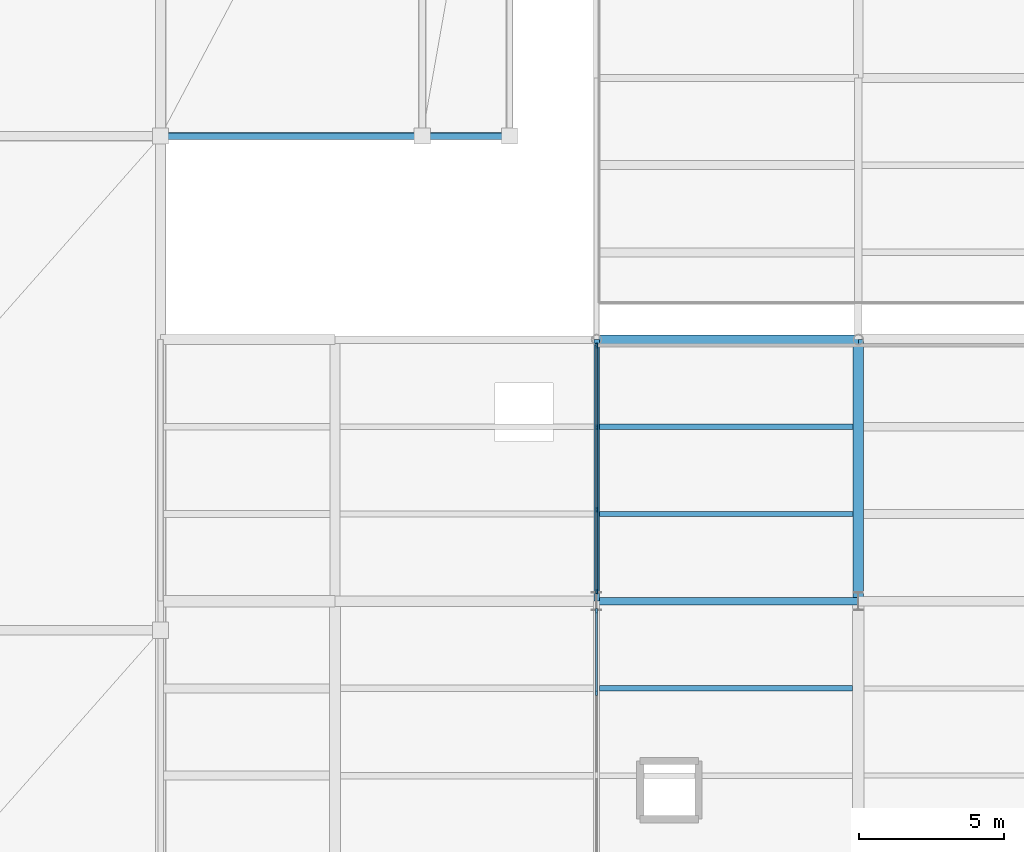
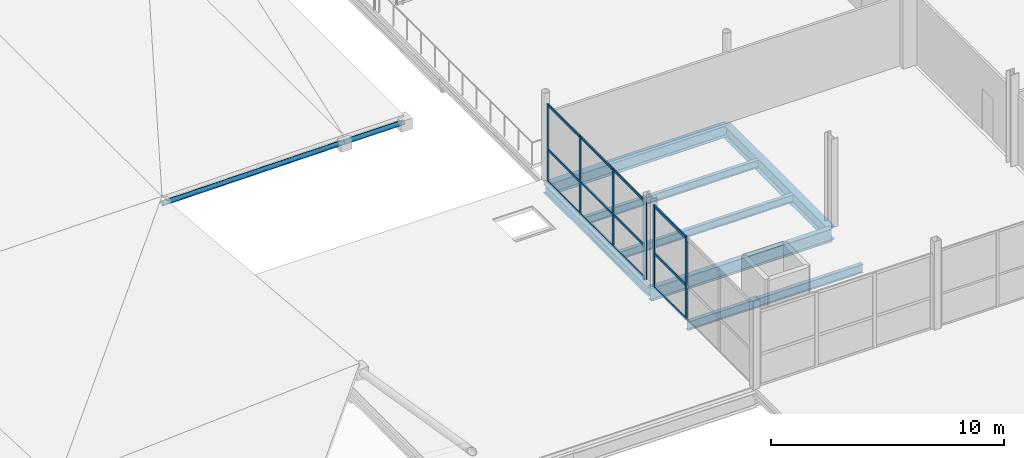
# One storey, part 19 of 69: 20 members, 7 beams, 2 elements without a shape of their own.
"""IFC4 building model written with IfcOpenShell, lengths in metres."""

import ifcopenshell
import ifcopenshell.guid

model = None  # the IFC model being written
_history = None  # IfcOwnerHistory: only IFC2X3 demands one
_inside = {}  # id of a spatial element -> (the spatial element, [elements in it])
_under = {}  # id of a project, library or spatial element -> (it, [spatial elements below it])
_declared = {}  # id of a project -> (the project, [libraries it declares])
_typed = {}  # id of a type object -> (the type object, [elements of that type])
_made_of = {}  # id of a material, layer set ... -> (it, [elements and type objects made of it])


def new_model(schema):
    """Start an empty IFC model of exactly this schema.

    Asked for "IFC4X3", IfcOpenShell would pick the latest addendum, in which some entities
    have other attributes; the version numbers below select the first issue.
    IFC2X3 requires an IfcOwnerHistory on every rooted entity: one is made here for all.
    """
    global model, _history
    if schema == "IFC4X3":
        model = ifcopenshell.file(schema_version=(4, 3, 0, 0))
    else:
        model = ifcopenshell.file(schema=schema)
    _inside.clear()
    _under.clear()
    _declared.clear()
    _typed.clear()
    _made_of.clear()
    _history = None
    if model.schema == "IFC2X3":
        org = make("IfcOrganization", Name="unknown")
        user = make(
            "IfcPersonAndOrganization",
            ThePerson=make("IfcPerson", FamilyName="unknown"),
            TheOrganization=org,
        )
        app = make(
            "IfcApplication",
            ApplicationDeveloper=org,
            Version="unknown",
            ApplicationFullName="unknown",
            ApplicationIdentifier="unknown",
        )
        _history = make(
            "IfcOwnerHistory",
            OwningUser=user,
            OwningApplication=app,
            ChangeAction="ADDED",
            CreationDate=0,
        )
    return model


def make(cls, **values):
    """One entity of the class cls with the attributes given. An attribute that is None is left unset."""
    return model.create_entity(
        cls, **{name: value for name, value in values.items() if value is not None}
    )


def rooted(cls, **values):
    """An entity with a GlobalId (a new one), such as an element, a storey or a relation."""
    return make(cls, GlobalId=ifcopenshell.guid.new(), OwnerHistory=_history, **values)


def si_unit(unit_type, name, prefix=None):
    """IfcSIUnit, for example si_unit("LENGTHUNIT", "METRE", prefix="MILLI")."""
    return make("IfcSIUnit", UnitType=unit_type, Prefix=prefix, Name=name)


def assignment(units):
    """IfcUnitAssignment: the units of a project."""
    return None if units is None else make("IfcUnitAssignment", Units=units)


def point(xyz):
    """IfcCartesianPoint."""
    return None if xyz is None else make("IfcCartesianPoint", Coordinates=xyz)


def direction(xyz):
    """IfcDirection."""
    return None if xyz is None else make("IfcDirection", DirectionRatios=xyz)


def frame(location, z_axis=None, x_axis=None):
    """IfcAxis2Placement3D, a coordinate frame: its origin and axes. An axis left out is left unset."""
    return make(
        "IfcAxis2Placement3D",
        Location=point(location),
        Axis=direction(z_axis),
        RefDirection=direction(x_axis),
    )


def frame_2d(location, x_axis=None):
    """IfcAxis2Placement2D, a coordinate frame in the plane: its origin and x axis."""
    return make(
        "IfcAxis2Placement2D", Location=point(location), RefDirection=direction(x_axis)
    )


def origin():
    """The frame at (0, 0, 0) with its axes left unset."""
    return frame((0.0, 0.0, 0.0))


def origin_2d():
    """The frame at (0, 0) in the plane with its x axis left unset."""
    return frame_2d((0.0, 0.0))


def place(relative_to, where):
    """IfcLocalPlacement: puts the frame where relative to a parent placement (None: the world)."""
    return make(
        "IfcLocalPlacement", PlacementRelTo=relative_to, RelativePlacement=where
    )


def context(
    kind, dimensions, precision=None, world=None, true_north=None, identifier=None
):
    """IfcGeometricRepresentationContext, for example the 3D "Model" context."""
    return make(
        "IfcGeometricRepresentationContext",
        ContextIdentifier=identifier,
        ContextType=kind,
        CoordinateSpaceDimension=dimensions,
        Precision=precision,
        WorldCoordinateSystem=world,
        TrueNorth=true_north,
    )


def subcontext(parent, identifier, kind, view, scale=None):
    """IfcGeometricRepresentationSubContext, for example "Body" below "Model"."""
    return make(
        "IfcGeometricRepresentationSubContext",
        ContextIdentifier=identifier,
        ContextType=kind,
        ParentContext=parent,
        TargetScale=scale,
        TargetView=view,
    )


def project(units=None, contexts=None):
    """IfcProject with its units and contexts."""
    return rooted(
        "IfcProject",
        Name="project",
        RepresentationContexts=contexts,
        UnitsInContext=assignment(units),
    )


def spatial(cls, under=None, at=None, **own):
    """A site, building, storey or space (cls), placed at a placement, below another one or the project."""
    s = rooted(cls, ObjectPlacement=at, **own)
    if under is not None:
        _under.setdefault(under.id(), (under, []))[1].append(s)
    return s


def profile(cls, at=None, kind="AREA", **sizes):
    """A parametric profile (cls). Its sizes go by their IFC names, for example OverallWidth=200.0."""
    return make(cls, ProfileType=kind, Position=at, **sizes)


def rectangle(**sizes):
    """IfcRectangleProfileDef."""
    return profile("IfcRectangleProfileDef", **sizes)


def hollow_circle(**sizes):
    """IfcCircleHollowProfileDef."""
    return profile("IfcCircleHollowProfileDef", **sizes)


def i_section(**sizes):
    """IfcIShapeProfileDef."""
    return profile("IfcIShapeProfileDef", **sizes)


def extrude(swept, where, along, depth):
    """IfcExtrudedAreaSolid: the profile swept, set in the frame where, extruded along a direction by depth."""
    return make(
        "IfcExtrudedAreaSolid",
        SweptArea=swept,
        Position=where,
        ExtrudedDirection=direction(along),
        Depth=depth,
    )


def shape(context_of_items, identifier, shape_type, items):
    """IfcShapeRepresentation: the items that make up one representation, for example the "Body"."""
    return make(
        "IfcShapeRepresentation",
        ContextOfItems=context_of_items,
        RepresentationIdentifier=identifier,
        RepresentationType=shape_type,
        Items=items,
    )


def material(Name=None, Category=None):
    """IfcMaterial."""
    return make("IfcMaterial", Name=Name, Category=Category)


def layer(
    of_material, thickness, ventilated=None, Name=None, Category=None, Priority=None
):
    """IfcMaterialLayer: one layer of a wall or slab, of a material (None: an air gap)."""
    return make(
        "IfcMaterialLayer",
        Material=of_material,
        LayerThickness=thickness,
        IsVentilated=ventilated,
        Name=Name,
        Category=Category,
        Priority=Priority,
    )


def layer_set(layers, Name=None):
    """IfcMaterialLayerSet."""
    return make("IfcMaterialLayerSet", MaterialLayers=layers, LayerSetName=Name)


def material_profile(
    of_material, cross_section, Name=None, Category=None, Priority=None
):
    """IfcMaterialProfile: a cross section and its material."""
    return make(
        "IfcMaterialProfile",
        Name=Name,
        Material=of_material,
        Profile=cross_section,
        Priority=Priority,
        Category=Category,
    )


def profile_set(profiles, Name=None, composite=None):
    """IfcMaterialProfileSet."""
    return make(
        "IfcMaterialProfileSet",
        Name=Name,
        MaterialProfiles=profiles,
        CompositeProfile=composite,
    )


def made_of(thing, what):
    """Note that an element or type object is made of a material, layer set ...; save() writes the relation."""
    if what is not None:
        _made_of.setdefault(what.id(), (what, []))[1].append(thing)
    return thing


def type_object(cls, material=None, **own):
    """A type object (cls), such as IfcWallType, which elements share."""
    return made_of(rooted(cls, **own), material)


def element(
    cls,
    number,
    at=None,
    inside=None,
    cuts=None,
    type_object=None,
    material=None,
    context=None,
    identifier="Body",
    shape_type=None,
    held_by="IfcProductDefinitionShape",
    body=None,
    shapes=None,
    **own,
):
    """One element of the class cls, such as IfcWall. Its Tag is "e" and its number.

    at: its placement. inside: the storey or other place that contains it. cuts: it is an
    opening in that element (IfcRelVoidsElement). A single representation is given by context,
    identifier, shape_type and body (its items); several are given by shapes. held_by: the class
    of the entity that holds the representations. save() writes the other relations.
    """
    e = rooted(cls, Tag="e%d" % number, ObjectPlacement=at, **own)
    if body is not None:
        shapes = [shape(context, identifier, shape_type, body)]
    if shapes is not None:
        e.Representation = make(held_by, Representations=shapes)
    if inside is not None:
        _inside.setdefault(inside.id(), (inside, []))[1].append(e)
    if cuts is not None:
        rooted(
            "IfcRelVoidsElement", RelatingBuildingElement=cuts, RelatedOpeningElement=e
        )
    if type_object is not None:
        _typed.setdefault(type_object.id(), (type_object, []))[1].append(e)
    return made_of(e, material)


def aggregate(whole, parts):
    """IfcRelAggregates: a whole, such as a stair, and the parts it consists of."""
    return rooted("IfcRelAggregates", RelatingObject=whole, RelatedObjects=parts)


def save(model, path):
    """Write the relations noted so far, then the file.

    IfcRelAggregates (storeys below a building ...), IfcRelContainedInSpatialStructure (elements
    in a storey), IfcRelDefinesByType, IfcRelAssociatesMaterial and IfcRelDeclares: one each for
    every whole, place, type object, material and project.
    """
    for whole, parts in _under.values():
        aggregate(whole, parts)
    for where, things in _inside.values():
        rooted(
            "IfcRelContainedInSpatialStructure",
            RelatedElements=things,
            RelatingStructure=where,
        )
    for kind, things in _typed.values():
        rooted("IfcRelDefinesByType", RelatedObjects=things, RelatingType=kind)
    for what, things in _made_of.values():
        rooted("IfcRelAssociatesMaterial", RelatedObjects=things, RelatingMaterial=what)
    for by, libraries in _declared.values():
        rooted("IfcRelDeclares", RelatingContext=by, RelatedDefinitions=libraries)
    model.write(path)


model = new_model("IFC4")

# Units and contexts
model_context = context("Model", 3, precision=1e-05, world=origin(), true_north=direction((0.0, 1.0)))
body_context = subcontext(model_context, "Body", "Model", "MODEL_VIEW")
ifc_project = project(units=[si_unit("LENGTHUNIT", "METRE"), si_unit("AREAUNIT", "SQUARE_METRE"), si_unit("VOLUMEUNIT", "CUBIC_METRE"), si_unit("PLANEANGLEUNIT", "RADIAN"), si_unit("MASSUNIT", "GRAM", prefix="KILO")], contexts=[model_context])

# Site, building, storey
site_placement = place(None, origin())
site = spatial("IfcSite", under=ifc_project, at=site_placement, CompositionType="ELEMENT")
building_placement = place(site_placement, origin())
building = spatial("IfcBuilding", under=site, at=building_placement, Name="Qamarlyn Nura Convention Centre", CompositionType="ELEMENT")
storey_placement = place(building_placement, frame((0.0, 0.0, 15.60009765625)))
storey = spatial("IfcBuildingStorey", under=building, at=storey_placement, Name="L03", CompositionType="ELEMENT", Elevation=15.60009765625)

# Beams
ifc_material_1 = material(Name="Steel ASTM A992", Category="steel")
ifc_material_profile_1 = material_profile(ifc_material_1, i_section(OverallWidth=0.323974609375, OverallDepth=0.611083984375, WebThickness=0.0126953125, FlangeThickness=0.01904296875, FilletRadius=0.01611328125, at=origin_2d()), Name="W610X155")
ifc_profile_set_1 = profile_set([ifc_material_profile_1], Name="Steel ASTM A992")
beam_type_1 = type_object("IfcBeamType", Name="BM-GIRD-610", PredefinedType="BEAM", material=ifc_profile_set_1)
beam_1_placement = place(storey_placement, frame((135.0, 45.0, -0.505615234375), z_axis=(1.0, 0.0, 0.0), x_axis=(0.0, 1.0, 0.0)))
element("IfcBeam", 1, at=beam_1_placement, inside=storey, type_object=beam_type_1, Name="L03 girder F 11-12", PredefinedType="BEAM", context=body_context, shape_type="SweptSolid", body=[
    extrude(i_section(OverallWidth=0.323974609375, OverallDepth=0.611083984375, WebThickness=0.0126953125, FlangeThickness=0.01904296875, FilletRadius=0.01611328125, at=origin_2d()), origin(), (0.0, 0.0, 1.0), 9.0),
])
ifc_material_profile_2 = material_profile(ifc_material_1, i_section(OverallWidth=0.35498046875, OverallDepth=0.695068359375, WebThickness=0.015380859375, FlangeThickness=0.02490234375, FilletRadius=0.01806640625, at=origin_2d()), Name="W690X217")
ifc_profile_set_2 = profile_set([ifc_material_profile_2], Name="Steel ASTM A992")
beam_type_2 = type_object("IfcBeamType", Name="BM-GIRD-690A", PredefinedType="BEAM", material=ifc_profile_set_2)
beam_2_placement = place(storey_placement, frame((144.0, 36.0, -0.547607421875), z_axis=(0.0, 1.0, 0.0), x_axis=(-1.0, 0.0, 0.0)))
element("IfcBeam", 2, at=beam_2_placement, inside=storey, type_object=beam_type_2, Name="L03 girder 12 E-F", PredefinedType="BEAM", context=body_context, shape_type="SweptSolid", body=[
    extrude(i_section(OverallWidth=0.35498046875, OverallDepth=0.695068359375, WebThickness=0.015380859375, FlangeThickness=0.02490234375, FilletRadius=0.01806640625, at=origin_2d()), origin(), (0.0, 0.0, 1.0), 9.0),
])
ifc_material_profile_3 = material_profile(ifc_material_1, i_section(OverallWidth=0.25390625, OverallDepth=0.68408203125, WebThickness=0.012451171875, FlangeThickness=0.01904296875, FilletRadius=0.01806640625, at=origin_2d()), Name="W690X140")
ifc_profile_set_3 = profile_set([ifc_material_profile_3], Name="Steel ASTM A992")
beam_type_3 = type_object("IfcBeamType", Name="BM-GIRD-690B", PredefinedType="BEAM", material=ifc_profile_set_3)
beam_3_placement = place(storey_placement, frame((135.0, 36.0, -0.5419921875), z_axis=(1.0, 0.0, 0.0), x_axis=(0.0, 1.0, 0.0)))
element("IfcBeam", 3, at=beam_3_placement, inside=storey, type_object=beam_type_3, Name="L03 girder E 11-12", PredefinedType="BEAM", context=body_context, shape_type="SweptSolid", body=[
    extrude(i_section(OverallWidth=0.25390625, OverallDepth=0.68408203125, WebThickness=0.012451171875, FlangeThickness=0.01904296875, FilletRadius=0.01806640625, at=origin_2d()), origin(), (0.0, 0.0, 1.0), 9.0),
])
ifc_material_profile_4 = material_profile(ifc_material_1, i_section(OverallWidth=0.177978515625, OverallDepth=0.406982421875, WebThickness=0.0078125, FlangeThickness=0.0126953125, FilletRadius=0.011962890625, at=origin_2d()), Name="W410X60")
ifc_profile_set_4 = profile_set([ifc_material_profile_4], Name="Steel ASTM A992")
beam_type_4 = type_object("IfcBeamType", Name="BM-JOIST-410", PredefinedType="JOIST", material=ifc_profile_set_4)
for number, where, z_axis, x_axis, name in (
    (4, (135.096435546875, 39.0, -0.403564453125), (1.0, 0.0, 0.0), (0.0, 1.0, 0.0), "L03 composite joist 11-12/E+1"),
    (5, (135.096435546875, 42.0, -0.403564453125), (1.0, 0.0, 0.0), (0.0, 1.0, 0.0), "L03 composite joist 11-12/E+2"),
):
    element("IfcBeam", number, at=place(storey_placement, frame(where, z_axis=z_axis, x_axis=x_axis)), inside=storey, type_object=beam_type_4, Name=name, PredefinedType="JOIST", context=body_context, shape_type="SweptSolid", body=[
        extrude(i_section(OverallWidth=0.177978515625, OverallDepth=0.406982421875, WebThickness=0.0078125, FlangeThickness=0.0126953125, FilletRadius=0.011962890625, at=origin_2d()), origin(), (0.0, 0.0, 1.0), 8.72607421875),
    ])
ifc_material_profile_5 = material_profile(ifc_material_1, i_section(OverallWidth=0.18994140625, OverallDepth=0.45703125, WebThickness=0.009033203125, FlangeThickness=0.014404296875, FilletRadius=0.012939453125, at=origin_2d()), Name="W460X74")
ifc_profile_set_5 = profile_set([ifc_material_profile_5], Name="Steel ASTM A992")
beam_type_5 = type_object("IfcBeamType", Name="BM-JOIST-460", PredefinedType="JOIST", material=ifc_profile_set_5)
beam_4_placement = place(storey_placement, frame((135.10546875, 33.0, -0.4287109375), z_axis=(1.0, 0.0, 0.0), x_axis=(0.0, 1.0, 0.0)))
element("IfcBeam", 6, at=beam_4_placement, inside=storey, type_object=beam_type_5, Name="L03 composite joist 11-12/D+2", PredefinedType="JOIST", context=body_context, shape_type="SweptSolid", body=[
    extrude(i_section(OverallWidth=0.18994140625, OverallDepth=0.45703125, WebThickness=0.009033203125, FlangeThickness=0.014404296875, FilletRadius=0.012939453125, at=origin_2d()), origin(), (0.0, 0.0, 1.0), 8.7041015625),
])
ifc_material_profile_6 = material_profile(ifc_material_1, i_section(OverallWidth=0.193115234375, OverallDepth=0.466064453125, WebThickness=0.011474609375, FlangeThickness=0.01904296875, FilletRadius=0.012939453125, at=origin_2d()), Name="W460X97")
ifc_profile_set_6 = profile_set([ifc_material_profile_6], Name="Steel ASTM A992")
beam_type_6 = type_object("IfcBeamType", Name="BM-SPAN-460", PredefinedType="SPANDREL", material=ifc_profile_set_6)
beam_5_placement = place(storey_placement, frame((135.0, 36.0, -0.43310546875), z_axis=(0.0, 1.0, 0.0), x_axis=(-1.0, 0.0, 0.0)))
element("IfcBeam", 7, at=beam_5_placement, inside=storey, type_object=beam_type_6, Name="L03 girder 11 E-F", PredefinedType="SPANDREL", context=body_context, shape_type="SweptSolid", body=[
    extrude(i_section(OverallWidth=0.193115234375, OverallDepth=0.466064453125, WebThickness=0.011474609375, FlangeThickness=0.01904296875, FilletRadius=0.012939453125, at=origin_2d()), origin(), (0.0, 0.0, 1.0), 9.0),
])

# Curtain wall, members
ifc_material_2 = material(Name="Double-silver low-E insulated glass", Category="glass")
ifc_layer_1 = layer(ifc_material_2, 0.179931640625, Name="CW-UNIT-125")
ifc_layer_set_1 = layer_set([ifc_layer_1], Name="Double-silver low-E insulated glass")
curtain_wall_type_1 = type_object("IfcCurtainWallType", Name="CW-UNIT-125", PredefinedType="NOTDEFINED", material=ifc_layer_set_1)
curtain_wall_1_placement = place(storey_placement, origin())
curtain_wall_1 = element("IfcCurtainWall", 8, at=curtain_wall_1_placement, inside=storey, type_object=curtain_wall_type_1, Name="L03 unitised curtain wall WS-36-1", PredefinedType="NOTDEFINED")
ifc_material_3 = material(Name="Champagne-anodised marine aluminium", Category="aluminium")
ifc_material_profile_7 = material_profile(ifc_material_3, rectangle(XDim=0.06494140625, YDim=0.159912109375, at=origin_2d()), Name="ALU MULLION 65x160")
ifc_profile_set_7 = profile_set([ifc_material_profile_7], Name="Champagne-anodised marine aluminium")
member_type_1 = type_object("IfcMemberType", Name="CWM-160", PredefinedType="MULLION", material=ifc_profile_set_7)
member_1_placement = place(storey_placement, frame((135.0, 36.337890625, 0.0), z_axis=(0.0, 0.0, 1.0), x_axis=(-1.0, 0.0, 0.0)))
member_1 = element("IfcMember", 9, at=member_1_placement, type_object=member_type_1, Name="CW125 mullion 1", PredefinedType="MULLION", context=body_context, shape_type="SweptSolid", body=[
    extrude(rectangle(XDim=0.06494140625, YDim=0.159912109375, at=origin_2d()), origin(), (0.0, 0.0, 1.0), 4.0859375),
])
member_2_placement = place(storey_placement, frame((135.0, 39.144287109375, 0.0), z_axis=(0.0, 0.0, 1.0), x_axis=(-1.0, 0.0, 0.0)))
member_2 = element("IfcMember", 10, at=member_2_placement, type_object=member_type_1, Name="CW125 mullion 2", PredefinedType="MULLION", context=body_context, shape_type="SweptSolid", body=[
    extrude(rectangle(XDim=0.06494140625, YDim=0.159912109375, at=origin_2d()), origin(), (0.0, 0.0, 1.0), 4.0859375),
])
member_3_placement = place(storey_placement, frame((135.0, 41.9833984375, 0.0), z_axis=(0.0, 0.0, 1.0), x_axis=(-1.0, 0.0, 0.0)))
member_3 = element("IfcMember", 11, at=member_3_placement, type_object=member_type_1, Name="CW125 mullion 3", PredefinedType="MULLION", context=body_context, shape_type="SweptSolid", body=[
    extrude(rectangle(XDim=0.06494140625, YDim=0.159912109375, at=origin_2d()), origin(), (0.0, 0.0, 1.0), 4.0859375),
])
member_4_placement = place(storey_placement, frame((135.0, 44.789794921875, 0.0), z_axis=(0.0, 0.0, 1.0), x_axis=(-1.0, 0.0, 0.0)))
member_4 = element("IfcMember", 12, at=member_4_placement, type_object=member_type_1, Name="CW125 mullion 4", PredefinedType="MULLION", context=body_context, shape_type="SweptSolid", body=[
    extrude(rectangle(XDim=0.06494140625, YDim=0.159912109375, at=origin_2d()), origin(), (0.0, 0.0, 1.0), 4.0859375),
])

ifc_layer_2 = layer(ifc_material_2, 0.179931640625, Name="CW-UNIT-124")
ifc_layer_set_2 = layer_set([ifc_layer_2], Name="Double-silver low-E insulated glass")
curtain_wall_type_2 = type_object("IfcCurtainWallType", Name="CW-UNIT-124", PredefinedType="NOTDEFINED", material=ifc_layer_set_2)
curtain_wall_2_placement = place(storey_placement, origin())
curtain_wall_2 = element("IfcCurtainWall", 13, at=curtain_wall_2_placement, inside=storey, type_object=curtain_wall_type_2, Name="L03 unitised curtain wall WS-27-1", PredefinedType="NOTDEFINED")
ifc_material_profile_8 = material_profile(ifc_material_3, rectangle(XDim=0.070068359375, YDim=0.179931640625, at=origin_2d()), Name="ALU MULLION 70x180")
ifc_profile_set_8 = profile_set([ifc_material_profile_8], Name="Champagne-anodised marine aluminium")
member_type_2 = type_object("IfcMemberType", Name="CWM-180", PredefinedType="MULLION", material=ifc_profile_set_8)
member_5_placement = place(storey_placement, frame((135.0, 32.854736328125, 0.0), z_axis=(0.0, 0.0, 1.0), x_axis=(-1.0, 0.0, 0.0)))
member_5 = element("IfcMember", 14, at=member_5_placement, type_object=member_type_2, Name="CW124 mullion 3", PredefinedType="MULLION", context=body_context, shape_type="SweptSolid", body=[
    extrude(rectangle(XDim=0.070068359375, YDim=0.179931640625, at=origin_2d()), origin(), (0.0, 0.0, 1.0), 4.324951171875),
])
member_6_placement = place(storey_placement, frame((135.0, 35.659423828125, 0.0), z_axis=(0.0, 0.0, 1.0), x_axis=(-1.0, 0.0, 0.0)))
member_6 = element("IfcMember", 15, at=member_6_placement, type_object=member_type_2, Name="CW124 mullion 4", PredefinedType="MULLION", context=body_context, shape_type="SweptSolid", body=[
    extrude(rectangle(XDim=0.070068359375, YDim=0.179931640625, at=origin_2d()), origin(), (0.0, 0.0, 1.0), 4.324951171875),
])

# Member
ifc_material_profile_9 = material_profile(ifc_material_3, rectangle(XDim=0.06494140625, YDim=0.1201171875, at=origin_2d()), Name="ALU TRANSOM 65x120")
ifc_profile_set_9 = profile_set([ifc_material_profile_9], Name="Champagne-anodised marine aluminium")
member_type_3 = type_object("IfcMemberType", Name="CWT-120", PredefinedType="USERDEFINED", material=ifc_profile_set_9)
member_7_placement = place(storey_placement, frame((135.0, 36.37060546875, 0.032470703125), z_axis=(0.0, 1.0, 0.0), x_axis=(-1.0, 0.0, 0.0)))
member_7 = element("IfcMember", 16, at=member_7_placement, type_object=member_type_3, Name="CW125 transom 1.1", ObjectType="TRANSOM", PredefinedType="USERDEFINED", context=body_context, shape_type="SweptSolid", body=[
    extrude(rectangle(XDim=0.06494140625, YDim=0.1201171875, at=origin_2d()), origin(), (0.0, 0.0, 1.0), 2.7412109375),
])

member_8_placement = place(storey_placement, frame((135.0, 36.37060546875, 1.7158203125), z_axis=(0.0, 1.0, 0.0), x_axis=(-1.0, 0.0, 0.0)))
member_8 = element("IfcMember", 17, at=member_8_placement, type_object=member_type_3, Name="CW125 transom 1.2", ObjectType="TRANSOM", PredefinedType="USERDEFINED", context=body_context, shape_type="SweptSolid", body=[
    extrude(rectangle(XDim=0.06494140625, YDim=0.1201171875, at=origin_2d()), origin(), (0.0, 0.0, 1.0), 2.7412109375),
])

member_9_placement = place(storey_placement, frame((135.0, 36.37060546875, 4.053466796875), z_axis=(0.0, 1.0, 0.0), x_axis=(-1.0, 0.0, 0.0)))
member_9 = element("IfcMember", 18, at=member_9_placement, type_object=member_type_3, Name="CW125 transom 1.3", ObjectType="TRANSOM", PredefinedType="USERDEFINED", context=body_context, shape_type="SweptSolid", body=[
    extrude(rectangle(XDim=0.06494140625, YDim=0.1201171875, at=origin_2d()), origin(), (0.0, 0.0, 1.0), 2.7412109375),
])

member_10_placement = place(storey_placement, frame((135.0, 39.177001953125, 0.032470703125), z_axis=(0.0, 1.0, 0.0), x_axis=(-1.0, 0.0, 0.0)))
member_10 = element("IfcMember", 19, at=member_10_placement, type_object=member_type_3, Name="CW125 transom 2.1", ObjectType="TRANSOM", PredefinedType="USERDEFINED", context=body_context, shape_type="SweptSolid", body=[
    extrude(rectangle(XDim=0.06494140625, YDim=0.1201171875, at=origin_2d()), origin(), (0.0, 0.0, 1.0), 2.773681640625),
])

member_11_placement = place(storey_placement, frame((135.0, 39.177001953125, 1.7158203125), z_axis=(0.0, 1.0, 0.0), x_axis=(-1.0, 0.0, 0.0)))
member_11 = element("IfcMember", 20, at=member_11_placement, type_object=member_type_3, Name="CW125 transom 2.2", ObjectType="TRANSOM", PredefinedType="USERDEFINED", context=body_context, shape_type="SweptSolid", body=[
    extrude(rectangle(XDim=0.06494140625, YDim=0.1201171875, at=origin_2d()), origin(), (0.0, 0.0, 1.0), 2.773681640625),
])

member_12_placement = place(storey_placement, frame((135.0, 39.177001953125, 4.053466796875), z_axis=(0.0, 1.0, 0.0), x_axis=(-1.0, 0.0, 0.0)))
member_12 = element("IfcMember", 21, at=member_12_placement, type_object=member_type_3, Name="CW125 transom 2.3", ObjectType="TRANSOM", PredefinedType="USERDEFINED", context=body_context, shape_type="SweptSolid", body=[
    extrude(rectangle(XDim=0.06494140625, YDim=0.1201171875, at=origin_2d()), origin(), (0.0, 0.0, 1.0), 2.773681640625),
])

member_13_placement = place(storey_placement, frame((135.0, 42.015869140625, 0.032470703125), z_axis=(0.0, 1.0, 0.0), x_axis=(-1.0, 0.0, 0.0)))
member_13 = element("IfcMember", 22, at=member_13_placement, type_object=member_type_3, Name="CW125 transom 3.1", ObjectType="TRANSOM", PredefinedType="USERDEFINED", context=body_context, shape_type="SweptSolid", body=[
    extrude(rectangle(XDim=0.06494140625, YDim=0.1201171875, at=origin_2d()), origin(), (0.0, 0.0, 1.0), 2.7412109375),
])

member_14_placement = place(storey_placement, frame((135.0, 42.015869140625, 1.7158203125), z_axis=(0.0, 1.0, 0.0), x_axis=(-1.0, 0.0, 0.0)))
member_14 = element("IfcMember", 23, at=member_14_placement, type_object=member_type_3, Name="CW125 transom 3.2", ObjectType="TRANSOM", PredefinedType="USERDEFINED", context=body_context, shape_type="SweptSolid", body=[
    extrude(rectangle(XDim=0.06494140625, YDim=0.1201171875, at=origin_2d()), origin(), (0.0, 0.0, 1.0), 2.7412109375),
])

member_15_placement = place(storey_placement, frame((135.0, 42.015869140625, 4.053466796875), z_axis=(0.0, 1.0, 0.0), x_axis=(-1.0, 0.0, 0.0)))
member_15 = element("IfcMember", 24, at=member_15_placement, type_object=member_type_3, Name="CW125 transom 3.3", ObjectType="TRANSOM", PredefinedType="USERDEFINED", context=body_context, shape_type="SweptSolid", body=[
    extrude(rectangle(XDim=0.06494140625, YDim=0.1201171875, at=origin_2d()), origin(), (0.0, 0.0, 1.0), 2.7412109375),
])

aggregate(curtain_wall_1, [member_1, member_2, member_3, member_4, member_7, member_8, member_9, member_10, member_11, member_12, member_13, member_14, member_15])

ifc_material_profile_10 = material_profile(ifc_material_3, rectangle(XDim=0.070068359375, YDim=0.139892578125, at=origin_2d()), Name="ALU TRANSOM 70x140")
ifc_profile_set_10 = profile_set([ifc_material_profile_10], Name="Champagne-anodised marine aluminium")
member_type_4 = type_object("IfcMemberType", Name="CWT-140", PredefinedType="USERDEFINED", material=ifc_profile_set_10)
member_16_placement = place(storey_placement, frame((135.0, 32.8896484375, 0.034912109375), z_axis=(0.0, 1.0, 0.0), x_axis=(-1.0, 0.0, 0.0)))
member_16 = element("IfcMember", 25, at=member_16_placement, type_object=member_type_4, Name="CW124 transom 3.1", ObjectType="TRANSOM", PredefinedType="USERDEFINED", context=body_context, shape_type="SweptSolid", body=[
    extrude(rectangle(XDim=0.070068359375, YDim=0.139892578125, at=origin_2d()), origin(), (0.0, 0.0, 1.0), 2.73486328125),
])

member_17_placement = place(storey_placement, frame((135.0, 32.8896484375, 1.81591796875), z_axis=(0.0, 1.0, 0.0), x_axis=(-1.0, 0.0, 0.0)))
member_17 = element("IfcMember", 26, at=member_17_placement, type_object=member_type_4, Name="CW124 transom 3.2", ObjectType="TRANSOM", PredefinedType="USERDEFINED", context=body_context, shape_type="SweptSolid", body=[
    extrude(rectangle(XDim=0.070068359375, YDim=0.139892578125, at=origin_2d()), origin(), (0.0, 0.0, 1.0), 2.73486328125),
])

member_18_placement = place(storey_placement, frame((135.0, 32.8896484375, 4.289794921875), z_axis=(0.0, 1.0, 0.0), x_axis=(-1.0, 0.0, 0.0)))
member_18 = element("IfcMember", 27, at=member_18_placement, type_object=member_type_4, Name="CW124 transom 3.3", ObjectType="TRANSOM", PredefinedType="USERDEFINED", context=body_context, shape_type="SweptSolid", body=[
    extrude(rectangle(XDim=0.070068359375, YDim=0.139892578125, at=origin_2d()), origin(), (0.0, 0.0, 1.0), 2.73486328125),
])

aggregate(curtain_wall_2, [member_5, member_6, member_16, member_17, member_18])

# Members
ifc_material_4 = material(Name="Pearl-white PVDF steel ASTM A500 Grade C", Category="steel")
ifc_material_profile_11 = material_profile(ifc_material_4, hollow_circle(Radius=0.122314453125, WallThickness=0.010009765625, at=origin_2d()), Name="CHS244.5X10")
ifc_profile_set_11 = profile_set([ifc_material_profile_11], Name="Pearl-white PVDF steel ASTM A500 Grade C")
member_type_5 = type_object("IfcMemberType", Name="SF-TC-EAVE", PredefinedType="CHORD", material=ifc_profile_set_11)
member_19_placement = place(storey_placement, frame((120.0, 52.0, -0.2626953125), z_axis=(0.999971361199, 0.0, 0.007568142626), x_axis=(0.0, 1.0, 0.0)))
element("IfcMember", 28, at=member_19_placement, inside=storey, type_object=member_type_5, Name="ROOF TRUSS space frame top chord X10-4", PredefinedType="CHORD", context=body_context, shape_type="SweptSolid", body=[
    extrude(hollow_circle(Radius=0.122314453125, WallThickness=0.010009765625, at=origin_2d()), origin(), (0.0, 0.0, 1.0), 9.000244140625),
])
member_20_placement = place(storey_placement, frame((129.0, 52.0, -0.194580078125), z_axis=(0.999998539689, 0.0, 0.001708981879), x_axis=(0.0, 1.0, 0.0)))
element("IfcMember", 29, at=member_20_placement, inside=storey, type_object=member_type_5, Name="ROOF TRUSS space frame top chord X11-4", PredefinedType="CHORD", context=body_context, shape_type="SweptSolid", body=[
    extrude(hollow_circle(Radius=0.122314453125, WallThickness=0.010009765625, at=origin_2d()), origin(), (0.0, 0.0, 1.0), 3.0),
])

save(model, "model.ifc")
